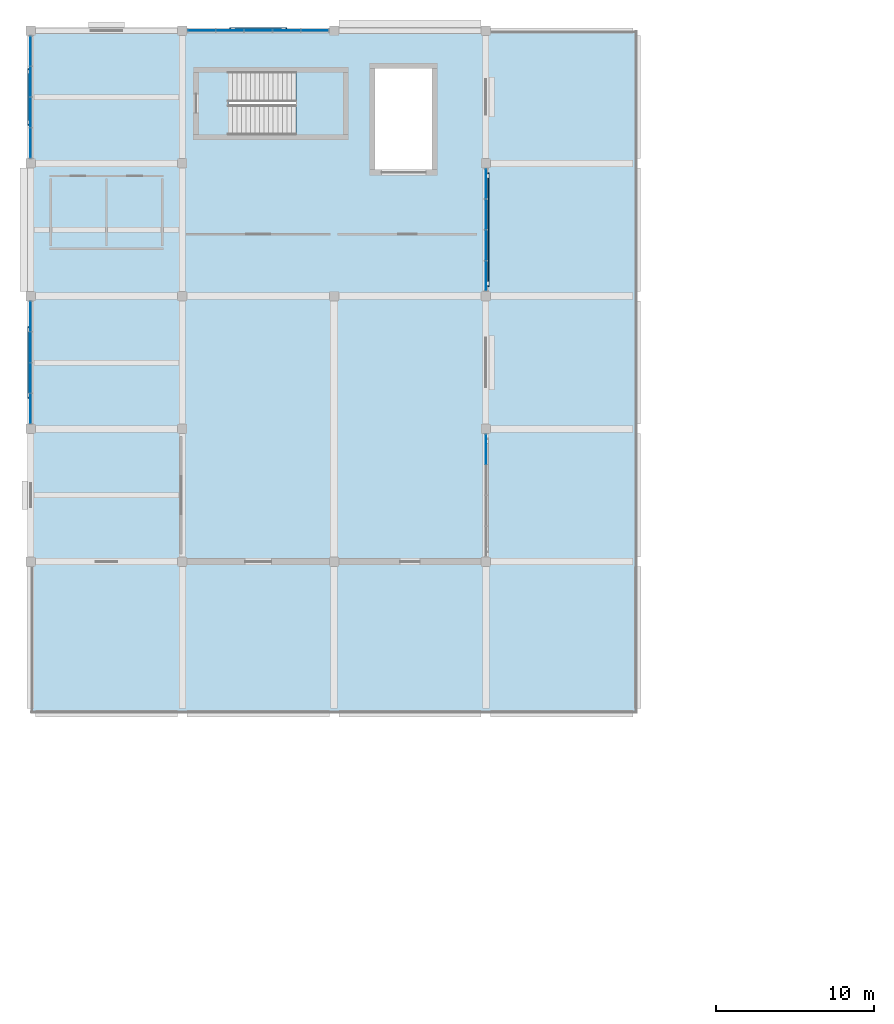
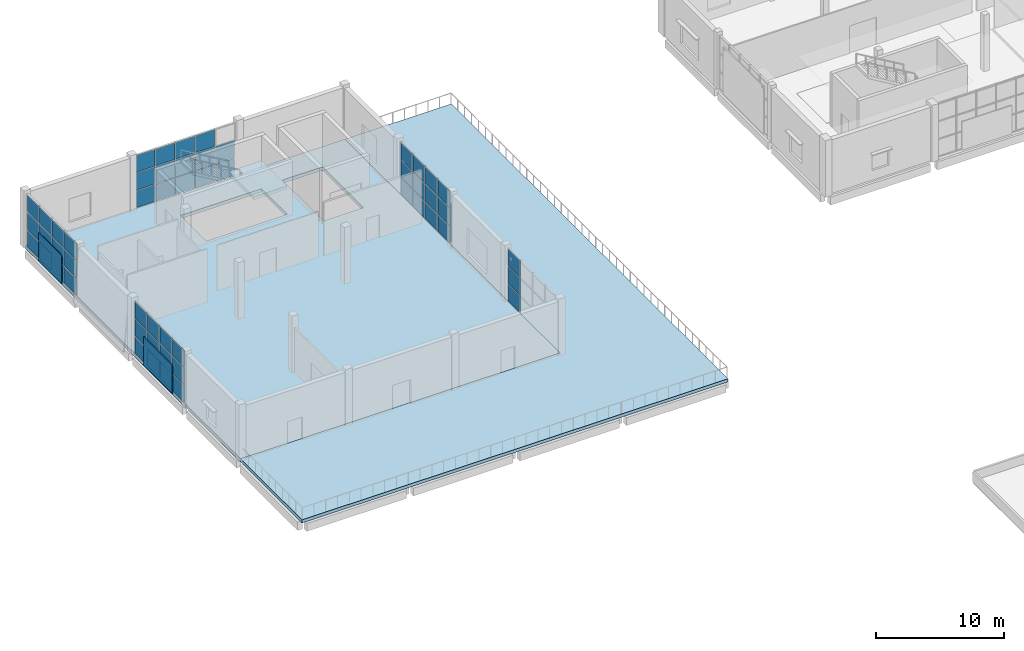
# One storey, part 38 of 72: 57 plates, 3 slabs, 6 elements without a shape of their own.
"""IFC4 building model written with IfcOpenShell, lengths in metres."""

from ifc_helpers import new_model, si_unit, direction, frame, origin, origin_2d, place, context, subcontext, project, spatial, polyline, rectangle, outline, extrude, material, layer, layer_set, type_object, element, aggregate, save


model = new_model("IFC4")

# Units and contexts
model_context = context("Model", 3, precision=1e-05, world=origin(), true_north=direction((0.0, 1.0)))
body_context = subcontext(model_context, "Body", "Model", "MODEL_VIEW")
ifc_project = project(units=[si_unit("LENGTHUNIT", "METRE"), si_unit("AREAUNIT", "SQUARE_METRE"), si_unit("VOLUMEUNIT", "CUBIC_METRE"), si_unit("PLANEANGLEUNIT", "RADIAN"), si_unit("MASSUNIT", "GRAM", prefix="KILO")], contexts=[model_context])

# Site, building, storey
site_placement = place(None, origin())
site = spatial("IfcSite", under=ifc_project, at=site_placement, CompositionType="ELEMENT")
building_placement = place(site_placement, origin())
building = spatial("IfcBuilding", under=site, at=building_placement, Name="Shalvenor Court Art Gallery", CompositionType="ELEMENT")
storey_placement = place(building_placement, frame((0.0, 0.0, 11.39990234375)))
storey = spatial("IfcBuildingStorey", under=building, at=storey_placement, Name="L02", CompositionType="ELEMENT", Elevation=11.39990234375)

# Curtain wall, plates
ifc_material_1 = material(Name="Anodised aluminium and low-iron glass curtain wall", Category="aluminium")
curtain_wall_type_1 = type_object("IfcCurtainWallType", Name="CW-5x3-90-51-221", PredefinedType="USERDEFINED", material=ifc_material_1)
curtain_wall_1_placement = place(storey_placement, origin())
curtain_wall_1 = element("IfcCurtainWall", 1, at=curtain_wall_1_placement, inside=storey, type_object=curtain_wall_type_1, Name="L02 V5 Curtain Wall CW-L02-181", ObjectType="CURTAIN WALL", PredefinedType="USERDEFINED")
ifc_material_2 = material(Name="Low-iron UV-laminated double glazing IGU", Category="glass")
ifc_layer_1 = layer(ifc_material_2, 0.028076171875, Name="Low-iron UV-laminated double glazing IGU")
ifc_layer_set_1 = layer_set([ifc_layer_1], Name="Low-iron UV-laminated double glazing IGU")
plate_type_1 = type_object("IfcPlateType", Name="CWP-01", PredefinedType="CURTAIN_PANEL", material=ifc_layer_set_1)
plate_1_placement = place(storey_placement, frame((10.8173828125, 122.39990234375, 0.065185546875), z_axis=(0.0, 0.0, 1.0), x_axis=(1.0, 0.0, 0.0)))
plate_1 = element("IfcPlate", 2, at=plate_1_placement, type_object=plate_type_1, Name="CW-5x3-90-51-221 panel 1.1", PredefinedType="CURTAIN_PANEL", context=body_context, shape_type="SweptSolid", body=[
    extrude(rectangle(XDim=1.695068359375, YDim=0.028076171875, at=origin_2d()), origin(), (0.0, 0.0, 1.0), 1.6025390625),
])
plate_2_placement = place(storey_placement, frame((10.8173828125, 122.39990234375, 1.732421875), z_axis=(0.0, 0.0, 1.0), x_axis=(1.0, 0.0, 0.0)))
plate_2 = element("IfcPlate", 3, at=plate_2_placement, type_object=plate_type_1, Name="CW-5x3-90-51-221 panel 1.2", PredefinedType="CURTAIN_PANEL", context=body_context, shape_type="SweptSolid", body=[
    extrude(rectangle(XDim=1.695068359375, YDim=0.028076171875, at=origin_2d()), origin(), (0.0, 0.0, 1.0), 1.635009765625),
])
plate_3_placement = place(storey_placement, frame((10.8173828125, 122.39990234375, 3.4326171875), z_axis=(0.0, 0.0, 1.0), x_axis=(1.0, 0.0, 0.0)))
plate_3 = element("IfcPlate", 4, at=plate_3_placement, type_object=plate_type_1, Name="CW-5x3-90-51-221 panel 1.3", PredefinedType="CURTAIN_PANEL", context=body_context, shape_type="SweptSolid", body=[
    extrude(rectangle(XDim=1.695068359375, YDim=0.028076171875, at=origin_2d()), origin(), (0.0, 0.0, 1.0), 1.6025390625),
])
plate_4_placement = place(storey_placement, frame((12.60009765625, 122.39990234375, 0.065185546875), z_axis=(0.0, 0.0, 1.0), x_axis=(1.0, 0.0, 0.0)))
plate_4 = element("IfcPlate", 5, at=plate_4_placement, type_object=plate_type_1, Name="CW-5x3-90-51-221 panel 2.1", PredefinedType="CURTAIN_PANEL", context=body_context, shape_type="SweptSolid", body=[
    extrude(rectangle(XDim=1.72998046875, YDim=0.028076171875, at=origin_2d()), origin(), (0.0, 0.0, 1.0), 1.6025390625),
])
plate_5_placement = place(storey_placement, frame((12.60009765625, 122.39990234375, 1.732421875), z_axis=(0.0, 0.0, 1.0), x_axis=(1.0, 0.0, 0.0)))
plate_5 = element("IfcPlate", 6, at=plate_5_placement, type_object=plate_type_1, Name="CW-5x3-90-51-221 panel 2.2", PredefinedType="CURTAIN_PANEL", context=body_context, shape_type="SweptSolid", body=[
    extrude(rectangle(XDim=1.72998046875, YDim=0.028076171875, at=origin_2d()), origin(), (0.0, 0.0, 1.0), 1.635009765625),
])
plate_6_placement = place(storey_placement, frame((12.60009765625, 122.39990234375, 3.4326171875), z_axis=(0.0, 0.0, 1.0), x_axis=(1.0, 0.0, 0.0)))
plate_6 = element("IfcPlate", 7, at=plate_6_placement, type_object=plate_type_1, Name="CW-5x3-90-51-221 panel 2.3", PredefinedType="CURTAIN_PANEL", context=body_context, shape_type="SweptSolid", body=[
    extrude(rectangle(XDim=1.72998046875, YDim=0.028076171875, at=origin_2d()), origin(), (0.0, 0.0, 1.0), 1.6025390625),
])
plate_7_placement = place(storey_placement, frame((14.39990234375, 122.39990234375, 0.065185546875), z_axis=(0.0, 0.0, 1.0), x_axis=(1.0, 0.0, 0.0)))
plate_7 = element("IfcPlate", 8, at=plate_7_placement, type_object=plate_type_1, Name="CW-5x3-90-51-221 panel 3.1", PredefinedType="CURTAIN_PANEL", context=body_context, shape_type="SweptSolid", body=[
    extrude(rectangle(XDim=1.72998046875, YDim=0.028076171875, at=origin_2d()), origin(), (0.0, 0.0, 1.0), 1.6025390625),
])
plate_8_placement = place(storey_placement, frame((14.39990234375, 122.39990234375, 1.732421875), z_axis=(0.0, 0.0, 1.0), x_axis=(1.0, 0.0, 0.0)))
plate_8 = element("IfcPlate", 9, at=plate_8_placement, type_object=plate_type_1, Name="CW-5x3-90-51-221 panel 3.2", PredefinedType="CURTAIN_PANEL", context=body_context, shape_type="SweptSolid", body=[
    extrude(rectangle(XDim=1.72998046875, YDim=0.028076171875, at=origin_2d()), origin(), (0.0, 0.0, 1.0), 1.635009765625),
])
plate_9_placement = place(storey_placement, frame((14.39990234375, 122.39990234375, 3.4326171875), z_axis=(0.0, 0.0, 1.0), x_axis=(1.0, 0.0, 0.0)))
plate_9 = element("IfcPlate", 10, at=plate_9_placement, type_object=plate_type_1, Name="CW-5x3-90-51-221 panel 3.3", PredefinedType="CURTAIN_PANEL", context=body_context, shape_type="SweptSolid", body=[
    extrude(rectangle(XDim=1.72998046875, YDim=0.028076171875, at=origin_2d()), origin(), (0.0, 0.0, 1.0), 1.6025390625),
])
plate_10_placement = place(storey_placement, frame((16.199951171875, 122.39990234375, 0.065185546875), z_axis=(0.0, 0.0, 1.0), x_axis=(1.0, 0.0, 0.0)))
plate_10 = element("IfcPlate", 11, at=plate_10_placement, type_object=plate_type_1, Name="CW-5x3-90-51-221 panel 4.1", PredefinedType="CURTAIN_PANEL", context=body_context, shape_type="SweptSolid", body=[
    extrude(rectangle(XDim=1.72998046875, YDim=0.028076171875, at=origin_2d()), origin(), (0.0, 0.0, 1.0), 1.6025390625),
])
plate_11_placement = place(storey_placement, frame((16.199951171875, 122.39990234375, 1.732421875), z_axis=(0.0, 0.0, 1.0), x_axis=(1.0, 0.0, 0.0)))
plate_11 = element("IfcPlate", 12, at=plate_11_placement, type_object=plate_type_1, Name="CW-5x3-90-51-221 panel 4.2", PredefinedType="CURTAIN_PANEL", context=body_context, shape_type="SweptSolid", body=[
    extrude(rectangle(XDim=1.72998046875, YDim=0.028076171875, at=origin_2d()), origin(), (0.0, 0.0, 1.0), 1.635009765625),
])
plate_12_placement = place(storey_placement, frame((16.199951171875, 122.39990234375, 3.4326171875), z_axis=(0.0, 0.0, 1.0), x_axis=(1.0, 0.0, 0.0)))
plate_12 = element("IfcPlate", 13, at=plate_12_placement, type_object=plate_type_1, Name="CW-5x3-90-51-221 panel 4.3", PredefinedType="CURTAIN_PANEL", context=body_context, shape_type="SweptSolid", body=[
    extrude(rectangle(XDim=1.72998046875, YDim=0.028076171875, at=origin_2d()), origin(), (0.0, 0.0, 1.0), 1.6025390625),
])
plate_13_placement = place(storey_placement, frame((17.982421875, 122.39990234375, 0.065185546875), z_axis=(0.0, 0.0, 1.0), x_axis=(1.0, 0.0, 0.0)))
plate_13 = element("IfcPlate", 14, at=plate_13_placement, type_object=plate_type_1, Name="CW-5x3-90-51-221 panel 5.1", PredefinedType="CURTAIN_PANEL", context=body_context, shape_type="SweptSolid", body=[
    extrude(rectangle(XDim=1.695068359375, YDim=0.028076171875, at=origin_2d()), origin(), (0.0, 0.0, 1.0), 1.6025390625),
])
plate_14_placement = place(storey_placement, frame((17.982421875, 122.39990234375, 1.732421875), z_axis=(0.0, 0.0, 1.0), x_axis=(1.0, 0.0, 0.0)))
plate_14 = element("IfcPlate", 15, at=plate_14_placement, type_object=plate_type_1, Name="CW-5x3-90-51-221 panel 5.2", PredefinedType="CURTAIN_PANEL", context=body_context, shape_type="SweptSolid", body=[
    extrude(rectangle(XDim=1.695068359375, YDim=0.028076171875, at=origin_2d()), origin(), (0.0, 0.0, 1.0), 1.635009765625),
])
aggregate(curtain_wall_1, [plate_1, plate_2, plate_3, plate_4, plate_5, plate_6, plate_7, plate_8, plate_9, plate_10, plate_11, plate_12, plate_13, plate_14])

ifc_material_3 = material(Name="Anodised aluminium and low-iron glass curtain wall", Category="aluminium")
curtain_wall_type_2 = type_object("IfcCurtainWallType", Name="CW-4x3-78-51-441", PredefinedType="USERDEFINED", material=ifc_material_3)
curtain_wall_2_placement = place(storey_placement, origin())
curtain_wall_2 = element("IfcCurtainWall", 16, at=curtain_wall_2_placement, inside=storey, type_object=curtain_wall_type_2, Name="L02 V5 Curtain Wall CW-L02-182", ObjectType="CURTAIN WALL", PredefinedType="USERDEFINED")
plate_15_placement = place(storey_placement, frame((28.800048828125, 112.706298828125, 0.0703125), z_axis=(0.0, 0.0, 1.0), x_axis=(0.0, -1.0, 0.0)))
plate_15 = element("IfcPlate", 17, at=plate_15_placement, type_object=plate_type_1, Name="CW-4x3-78-51-441 panel 1.1", PredefinedType="CURTAIN_PANEL", context=body_context, shape_type="SweptSolid", body=[
    extrude(rectangle(XDim=1.83740234375, YDim=0.028076171875, at=origin_2d()), origin(), (0.0, 0.0, 1.0), 1.594970703125),
])
plate_16_placement = place(storey_placement, frame((28.800048828125, 112.706298828125, 1.735107421875), z_axis=(0.0, 0.0, 1.0), x_axis=(0.0, -1.0, 0.0)))
plate_16 = element("IfcPlate", 18, at=plate_16_placement, type_object=plate_type_1, Name="CW-4x3-78-51-441 panel 1.2", PredefinedType="CURTAIN_PANEL", context=body_context, shape_type="SweptSolid", body=[
    extrude(rectangle(XDim=1.83740234375, YDim=0.028076171875, at=origin_2d()), origin(), (0.0, 0.0, 1.0), 1.6298828125),
])
plate_17_placement = place(storey_placement, frame((28.800048828125, 112.706298828125, 3.43505859375), z_axis=(0.0, 0.0, 1.0), x_axis=(0.0, -1.0, 0.0)))
plate_17 = element("IfcPlate", 19, at=plate_17_placement, type_object=plate_type_1, Name="CW-4x3-78-51-441 panel 1.3", PredefinedType="CURTAIN_PANEL", context=body_context, shape_type="SweptSolid", body=[
    extrude(rectangle(XDim=1.83740234375, YDim=0.028076171875, at=origin_2d()), origin(), (0.0, 0.0, 1.0), 1.594970703125),
])
plate_18_placement = place(storey_placement, frame((28.800048828125, 110.77490234375, 0.0703125), z_axis=(0.0, 0.0, 1.0), x_axis=(0.0, -1.0, 0.0)))
plate_18 = element("IfcPlate", 20, at=plate_18_placement, type_object=plate_type_1, Name="CW-4x3-78-51-441 panel 2.1", PredefinedType="CURTAIN_PANEL", context=body_context, shape_type="SweptSolid", body=[
    extrude(rectangle(XDim=1.875, YDim=0.028076171875, at=origin_2d()), origin(), (0.0, 0.0, 1.0), 1.594970703125),
])
plate_19_placement = place(storey_placement, frame((28.800048828125, 110.77490234375, 1.735107421875), z_axis=(0.0, 0.0, 1.0), x_axis=(0.0, -1.0, 0.0)))
plate_19 = element("IfcPlate", 21, at=plate_19_placement, type_object=plate_type_1, Name="CW-4x3-78-51-441 panel 2.2", PredefinedType="CURTAIN_PANEL", context=body_context, shape_type="SweptSolid", body=[
    extrude(rectangle(XDim=1.875, YDim=0.028076171875, at=origin_2d()), origin(), (0.0, 0.0, 1.0), 1.6298828125),
])
plate_20_placement = place(storey_placement, frame((28.800048828125, 110.77490234375, 3.43505859375), z_axis=(0.0, 0.0, 1.0), x_axis=(0.0, -1.0, 0.0)))
plate_20 = element("IfcPlate", 22, at=plate_20_placement, type_object=plate_type_1, Name="CW-4x3-78-51-441 panel 2.3", PredefinedType="CURTAIN_PANEL", context=body_context, shape_type="SweptSolid", body=[
    extrude(rectangle(XDim=1.875, YDim=0.028076171875, at=origin_2d()), origin(), (0.0, 0.0, 1.0), 1.594970703125),
])
plate_21_placement = place(storey_placement, frame((28.800048828125, 108.824951171875, 0.0703125), z_axis=(0.0, 0.0, 1.0), x_axis=(0.0, -1.0, 0.0)))
plate_21 = element("IfcPlate", 23, at=plate_21_placement, type_object=plate_type_1, Name="CW-4x3-78-51-441 panel 3.1", PredefinedType="CURTAIN_PANEL", context=body_context, shape_type="SweptSolid", body=[
    extrude(rectangle(XDim=1.875, YDim=0.028076171875, at=origin_2d()), origin(), (0.0, 0.0, 1.0), 1.594970703125),
])
plate_22_placement = place(storey_placement, frame((28.800048828125, 108.824951171875, 1.735107421875), z_axis=(0.0, 0.0, 1.0), x_axis=(0.0, -1.0, 0.0)))
plate_22 = element("IfcPlate", 24, at=plate_22_placement, type_object=plate_type_1, Name="CW-4x3-78-51-441 panel 3.2", PredefinedType="CURTAIN_PANEL", context=body_context, shape_type="SweptSolid", body=[
    extrude(rectangle(XDim=1.875, YDim=0.028076171875, at=origin_2d()), origin(), (0.0, 0.0, 1.0), 1.6298828125),
])
plate_23_placement = place(storey_placement, frame((28.800048828125, 108.824951171875, 3.43505859375), z_axis=(0.0, 0.0, 1.0), x_axis=(0.0, -1.0, 0.0)))
plate_23 = element("IfcPlate", 25, at=plate_23_placement, type_object=plate_type_1, Name="CW-4x3-78-51-441 panel 3.3", PredefinedType="CURTAIN_PANEL", context=body_context, shape_type="SweptSolid", body=[
    extrude(rectangle(XDim=1.875, YDim=0.028076171875, at=origin_2d()), origin(), (0.0, 0.0, 1.0), 1.594970703125),
])
plate_24_placement = place(storey_placement, frame((28.800048828125, 106.893798828125, 0.0703125), z_axis=(0.0, 0.0, 1.0), x_axis=(0.0, -1.0, 0.0)))
plate_24 = element("IfcPlate", 26, at=plate_24_placement, type_object=plate_type_1, Name="CW-4x3-78-51-441 panel 4.1", PredefinedType="CURTAIN_PANEL", context=body_context, shape_type="SweptSolid", body=[
    extrude(rectangle(XDim=1.83740234375, YDim=0.028076171875, at=origin_2d()), origin(), (0.0, 0.0, 1.0), 1.594970703125),
])
plate_25_placement = place(storey_placement, frame((28.800048828125, 106.893798828125, 1.735107421875), z_axis=(0.0, 0.0, 1.0), x_axis=(0.0, -1.0, 0.0)))
plate_25 = element("IfcPlate", 27, at=plate_25_placement, type_object=plate_type_1, Name="CW-4x3-78-51-441 panel 4.2", PredefinedType="CURTAIN_PANEL", context=body_context, shape_type="SweptSolid", body=[
    extrude(rectangle(XDim=1.83740234375, YDim=0.028076171875, at=origin_2d()), origin(), (0.0, 0.0, 1.0), 1.6298828125),
])
plate_26_placement = place(storey_placement, frame((28.800048828125, 106.893798828125, 3.43505859375), z_axis=(0.0, 0.0, 1.0), x_axis=(0.0, -1.0, 0.0)))
plate_26 = element("IfcPlate", 28, at=plate_26_placement, type_object=plate_type_1, Name="CW-4x3-78-51-441 panel 4.3", PredefinedType="CURTAIN_PANEL", context=body_context, shape_type="SweptSolid", body=[
    extrude(rectangle(XDim=1.83740234375, YDim=0.028076171875, at=origin_2d()), origin(), (0.0, 0.0, 1.0), 1.594970703125),
])
aggregate(curtain_wall_2, [plate_15, plate_16, plate_17, plate_18, plate_19, plate_20, plate_21, plate_22, plate_23, plate_24, plate_25, plate_26])

ifc_material_4 = material(Name="Anodised aluminium and low-iron glass curtain wall", Category="aluminium")
curtain_wall_type_3 = type_object("IfcCurtainWallType", Name="CW-4x3-78-51-611", PredefinedType="USERDEFINED", material=ifc_material_4)
curtain_wall_3_placement = place(storey_placement, origin())
curtain_wall_3 = element("IfcCurtainWall", 29, at=curtain_wall_3_placement, inside=storey, type_object=curtain_wall_type_3, Name="L02 V5 Curtain Wall CW-L02-183", ObjectType="CURTAIN WALL", PredefinedType="USERDEFINED")
plate_27_placement = place(storey_placement, frame((28.800048828125, 95.9111328125, 0.06005859375), z_axis=(0.0, 0.0, 1.0), x_axis=(0.0, -1.0, 0.0)))
plate_27 = element("IfcPlate", 30, at=plate_27_placement, type_object=plate_type_1, Name="CW-4x3-78-51-611 panel 1.1", PredefinedType="CURTAIN_PANEL", context=body_context, shape_type="SweptSolid", body=[
    extrude(rectangle(XDim=1.867431640625, YDim=0.028076171875, at=origin_2d()), origin(), (0.0, 0.0, 1.0), 1.610107421875),
])
plate_28_placement = place(storey_placement, frame((28.800048828125, 95.9111328125, 1.72998046875), z_axis=(0.0, 0.0, 1.0), x_axis=(0.0, -1.0, 0.0)))
plate_28 = element("IfcPlate", 31, at=plate_28_placement, type_object=plate_type_1, Name="CW-4x3-78-51-611 panel 1.2", PredefinedType="CURTAIN_PANEL", context=body_context, shape_type="SweptSolid", body=[
    extrude(rectangle(XDim=1.867431640625, YDim=0.028076171875, at=origin_2d()), origin(), (0.0, 0.0, 1.0), 1.639892578125),
])
plate_29_placement = place(storey_placement, frame((28.800048828125, 95.9111328125, 3.43017578125), z_axis=(0.0, 0.0, 1.0), x_axis=(0.0, -1.0, 0.0)))
plate_29 = element("IfcPlate", 32, at=plate_29_placement, type_object=plate_type_1, Name="CW-4x3-78-51-611 panel 1.3", PredefinedType="CURTAIN_PANEL", context=body_context, shape_type="SweptSolid", body=[
    extrude(rectangle(XDim=1.867431640625, YDim=0.028076171875, at=origin_2d()), origin(), (0.0, 0.0, 1.0), 1.610107421875),
])
aggregate(curtain_wall_3, [plate_27, plate_28, plate_29])

ifc_material_5 = material(Name="Anodised aluminium and low-iron glass curtain wall", Category="aluminium")
curtain_wall_type_4 = type_object("IfcCurtainWallType", Name="CW-4x3-78-51-121", PredefinedType="USERDEFINED", material=ifc_material_5)
curtain_wall_4_placement = place(storey_placement, origin())
curtain_wall_4 = element("IfcCurtainWall", 33, at=curtain_wall_4_placement, inside=storey, type_object=curtain_wall_type_4, Name="L02 V5 Curtain Wall CW-L02-184", ObjectType="CURTAIN WALL", PredefinedType="USERDEFINED")
plate_30_placement = place(storey_placement, frame((0.0, 98.4912109375, 0.065185546875), z_axis=(0.0, 0.0, 1.0), x_axis=(0.0, 1.0, 0.0)))
plate_30 = element("IfcPlate", 34, at=plate_30_placement, type_object=plate_type_1, Name="CW-4x3-78-51-121 panel 1.1", PredefinedType="CURTAIN_PANEL", context=body_context, shape_type="SweptSolid", body=[
    extrude(rectangle(XDim=1.8525390625, YDim=0.028076171875, at=origin_2d()), origin(), (0.0, 0.0, 1.0), 1.6025390625),
])
plate_31_placement = place(storey_placement, frame((0.0, 98.4912109375, 1.732421875), z_axis=(0.0, 0.0, 1.0), x_axis=(0.0, 1.0, 0.0)))
plate_31 = element("IfcPlate", 35, at=plate_31_placement, type_object=plate_type_1, Name="CW-4x3-78-51-121 panel 1.2", PredefinedType="CURTAIN_PANEL", context=body_context, shape_type="SweptSolid", body=[
    extrude(rectangle(XDim=1.8525390625, YDim=0.028076171875, at=origin_2d()), origin(), (0.0, 0.0, 1.0), 1.635009765625),
])
plate_32_placement = place(storey_placement, frame((0.0, 98.4912109375, 3.4326171875), z_axis=(0.0, 0.0, 1.0), x_axis=(0.0, 1.0, 0.0)))
plate_32 = element("IfcPlate", 36, at=plate_32_placement, type_object=plate_type_1, Name="CW-4x3-78-51-121 panel 1.3", PredefinedType="CURTAIN_PANEL", context=body_context, shape_type="SweptSolid", body=[
    extrude(rectangle(XDim=1.8525390625, YDim=0.028076171875, at=origin_2d()), origin(), (0.0, 0.0, 1.0), 1.6025390625),
])
plate_33_placement = place(storey_placement, frame((0.0, 100.425048828125, 0.065185546875), z_axis=(0.0, 0.0, 1.0), x_axis=(0.0, 1.0, 0.0)))
plate_33 = element("IfcPlate", 37, at=plate_33_placement, type_object=plate_type_1, Name="CW-4x3-78-51-121 panel 2.1", PredefinedType="CURTAIN_PANEL", context=body_context, shape_type="SweptSolid", body=[
    extrude(rectangle(XDim=1.885009765625, YDim=0.028076171875, at=origin_2d()), origin(), (0.0, 0.0, 1.0), 1.6025390625),
])
plate_34_placement = place(storey_placement, frame((0.0, 100.425048828125, 1.732421875), z_axis=(0.0, 0.0, 1.0), x_axis=(0.0, 1.0, 0.0)))
plate_34 = element("IfcPlate", 38, at=plate_34_placement, type_object=plate_type_1, Name="CW-4x3-78-51-121 panel 2.2", PredefinedType="CURTAIN_PANEL", context=body_context, shape_type="SweptSolid", body=[
    extrude(rectangle(XDim=1.885009765625, YDim=0.028076171875, at=origin_2d()), origin(), (0.0, 0.0, 1.0), 1.635009765625),
])
plate_35_placement = place(storey_placement, frame((0.0, 100.425048828125, 3.4326171875), z_axis=(0.0, 0.0, 1.0), x_axis=(0.0, 1.0, 0.0)))
plate_35 = element("IfcPlate", 39, at=plate_35_placement, type_object=plate_type_1, Name="CW-4x3-78-51-121 panel 2.3", PredefinedType="CURTAIN_PANEL", context=body_context, shape_type="SweptSolid", body=[
    extrude(rectangle(XDim=1.885009765625, YDim=0.028076171875, at=origin_2d()), origin(), (0.0, 0.0, 1.0), 1.6025390625),
])
plate_36_placement = place(storey_placement, frame((0.0, 102.375, 0.065185546875), z_axis=(0.0, 0.0, 1.0), x_axis=(0.0, 1.0, 0.0)))
plate_36 = element("IfcPlate", 40, at=plate_36_placement, type_object=plate_type_1, Name="CW-4x3-78-51-121 panel 3.1", PredefinedType="CURTAIN_PANEL", context=body_context, shape_type="SweptSolid", body=[
    extrude(rectangle(XDim=1.885009765625, YDim=0.028076171875, at=origin_2d()), origin(), (0.0, 0.0, 1.0), 1.6025390625),
])
plate_37_placement = place(storey_placement, frame((0.0, 102.375, 1.732421875), z_axis=(0.0, 0.0, 1.0), x_axis=(0.0, 1.0, 0.0)))
plate_37 = element("IfcPlate", 41, at=plate_37_placement, type_object=plate_type_1, Name="CW-4x3-78-51-121 panel 3.2", PredefinedType="CURTAIN_PANEL", context=body_context, shape_type="SweptSolid", body=[
    extrude(rectangle(XDim=1.885009765625, YDim=0.028076171875, at=origin_2d()), origin(), (0.0, 0.0, 1.0), 1.635009765625),
])
plate_38_placement = place(storey_placement, frame((0.0, 102.375, 3.4326171875), z_axis=(0.0, 0.0, 1.0), x_axis=(0.0, 1.0, 0.0)))
plate_38 = element("IfcPlate", 42, at=plate_38_placement, type_object=plate_type_1, Name="CW-4x3-78-51-121 panel 3.3", PredefinedType="CURTAIN_PANEL", context=body_context, shape_type="SweptSolid", body=[
    extrude(rectangle(XDim=1.885009765625, YDim=0.028076171875, at=origin_2d()), origin(), (0.0, 0.0, 1.0), 1.6025390625),
])
plate_39_placement = place(storey_placement, frame((0.0, 104.308837890625, 0.065185546875), z_axis=(0.0, 0.0, 1.0), x_axis=(0.0, 1.0, 0.0)))
plate_39 = element("IfcPlate", 43, at=plate_39_placement, type_object=plate_type_1, Name="CW-4x3-78-51-121 panel 4.1", PredefinedType="CURTAIN_PANEL", context=body_context, shape_type="SweptSolid", body=[
    extrude(rectangle(XDim=1.8525390625, YDim=0.028076171875, at=origin_2d()), origin(), (0.0, 0.0, 1.0), 1.6025390625),
])
plate_40_placement = place(storey_placement, frame((0.0, 104.308837890625, 1.732421875), z_axis=(0.0, 0.0, 1.0), x_axis=(0.0, 1.0, 0.0)))
plate_40 = element("IfcPlate", 44, at=plate_40_placement, type_object=plate_type_1, Name="CW-4x3-78-51-121 panel 4.2", PredefinedType="CURTAIN_PANEL", context=body_context, shape_type="SweptSolid", body=[
    extrude(rectangle(XDim=1.8525390625, YDim=0.028076171875, at=origin_2d()), origin(), (0.0, 0.0, 1.0), 1.635009765625),
])
plate_41_placement = place(storey_placement, frame((0.0, 104.308837890625, 3.4326171875), z_axis=(0.0, 0.0, 1.0), x_axis=(0.0, 1.0, 0.0)))
plate_41 = element("IfcPlate", 45, at=plate_41_placement, type_object=plate_type_1, Name="CW-4x3-78-51-121 panel 4.3", PredefinedType="CURTAIN_PANEL", context=body_context, shape_type="SweptSolid", body=[
    extrude(rectangle(XDim=1.8525390625, YDim=0.028076171875, at=origin_2d()), origin(), (0.0, 0.0, 1.0), 1.6025390625),
])
aggregate(curtain_wall_4, [plate_30, plate_31, plate_32, plate_33, plate_34, plate_35, plate_36, plate_37, plate_38, plate_39, plate_40, plate_41])

ifc_material_6 = material(Name="Anodised aluminium and low-iron glass curtain wall", Category="aluminium")
curtain_wall_type_5 = type_object("IfcCurtainWallType", Name="CW-4x3-78-51-241", PredefinedType="USERDEFINED", material=ifc_material_6)
curtain_wall_5_placement = place(storey_placement, origin())
curtain_wall_5 = element("IfcCurtainWall", 46, at=curtain_wall_5_placement, inside=storey, type_object=curtain_wall_type_5, Name="L02 V5 Curtain Wall CW-L02-185", ObjectType="CURTAIN WALL", PredefinedType="USERDEFINED")
plate_42_placement = place(storey_placement, frame((0.0, 115.29248046875, 0.0703125), z_axis=(0.0, 0.0, 1.0), x_axis=(0.0, 1.0, 0.0)))
plate_42 = element("IfcPlate", 47, at=plate_42_placement, type_object=plate_type_1, Name="CW-4x3-78-51-241 panel 1.1", PredefinedType="CURTAIN_PANEL", context=body_context, shape_type="SweptSolid", body=[
    extrude(rectangle(XDim=1.844970703125, YDim=0.028076171875, at=origin_2d()), origin(), (0.0, 0.0, 1.0), 1.594970703125),
])
plate_43_placement = place(storey_placement, frame((0.0, 115.29248046875, 1.735107421875), z_axis=(0.0, 0.0, 1.0), x_axis=(0.0, 1.0, 0.0)))
plate_43 = element("IfcPlate", 48, at=plate_43_placement, type_object=plate_type_1, Name="CW-4x3-78-51-241 panel 1.2", PredefinedType="CURTAIN_PANEL", context=body_context, shape_type="SweptSolid", body=[
    extrude(rectangle(XDim=1.844970703125, YDim=0.028076171875, at=origin_2d()), origin(), (0.0, 0.0, 1.0), 1.6298828125),
])
plate_44_placement = place(storey_placement, frame((0.0, 115.29248046875, 3.43505859375), z_axis=(0.0, 0.0, 1.0), x_axis=(0.0, 1.0, 0.0)))
plate_44 = element("IfcPlate", 49, at=plate_44_placement, type_object=plate_type_1, Name="CW-4x3-78-51-241 panel 1.3", PredefinedType="CURTAIN_PANEL", context=body_context, shape_type="SweptSolid", body=[
    extrude(rectangle(XDim=1.844970703125, YDim=0.028076171875, at=origin_2d()), origin(), (0.0, 0.0, 1.0), 1.594970703125),
])
plate_45_placement = place(storey_placement, frame((0.0, 117.22509765625, 0.0703125), z_axis=(0.0, 0.0, 1.0), x_axis=(0.0, 1.0, 0.0)))
plate_45 = element("IfcPlate", 50, at=plate_45_placement, type_object=plate_type_1, Name="CW-4x3-78-51-241 panel 2.1", PredefinedType="CURTAIN_PANEL", context=body_context, shape_type="SweptSolid", body=[
    extrude(rectangle(XDim=1.8798828125, YDim=0.028076171875, at=origin_2d()), origin(), (0.0, 0.0, 1.0), 1.594970703125),
])
plate_46_placement = place(storey_placement, frame((0.0, 117.22509765625, 1.735107421875), z_axis=(0.0, 0.0, 1.0), x_axis=(0.0, 1.0, 0.0)))
plate_46 = element("IfcPlate", 51, at=plate_46_placement, type_object=plate_type_1, Name="CW-4x3-78-51-241 panel 2.2", PredefinedType="CURTAIN_PANEL", context=body_context, shape_type="SweptSolid", body=[
    extrude(rectangle(XDim=1.8798828125, YDim=0.028076171875, at=origin_2d()), origin(), (0.0, 0.0, 1.0), 1.6298828125),
])
plate_47_placement = place(storey_placement, frame((0.0, 117.22509765625, 3.43505859375), z_axis=(0.0, 0.0, 1.0), x_axis=(0.0, 1.0, 0.0)))
plate_47 = element("IfcPlate", 52, at=plate_47_placement, type_object=plate_type_1, Name="CW-4x3-78-51-241 panel 2.3", PredefinedType="CURTAIN_PANEL", context=body_context, shape_type="SweptSolid", body=[
    extrude(rectangle(XDim=1.8798828125, YDim=0.028076171875, at=origin_2d()), origin(), (0.0, 0.0, 1.0), 1.594970703125),
])
plate_48_placement = place(storey_placement, frame((0.0, 119.175048828125, 0.0703125), z_axis=(0.0, 0.0, 1.0), x_axis=(0.0, 1.0, 0.0)))
plate_48 = element("IfcPlate", 53, at=plate_48_placement, type_object=plate_type_1, Name="CW-4x3-78-51-241 panel 3.1", PredefinedType="CURTAIN_PANEL", context=body_context, shape_type="SweptSolid", body=[
    extrude(rectangle(XDim=1.8798828125, YDim=0.028076171875, at=origin_2d()), origin(), (0.0, 0.0, 1.0), 1.594970703125),
])
plate_49_placement = place(storey_placement, frame((0.0, 119.175048828125, 1.735107421875), z_axis=(0.0, 0.0, 1.0), x_axis=(0.0, 1.0, 0.0)))
plate_49 = element("IfcPlate", 54, at=plate_49_placement, type_object=plate_type_1, Name="CW-4x3-78-51-241 panel 3.2", PredefinedType="CURTAIN_PANEL", context=body_context, shape_type="SweptSolid", body=[
    extrude(rectangle(XDim=1.8798828125, YDim=0.028076171875, at=origin_2d()), origin(), (0.0, 0.0, 1.0), 1.6298828125),
])
plate_50_placement = place(storey_placement, frame((0.0, 119.175048828125, 3.43505859375), z_axis=(0.0, 0.0, 1.0), x_axis=(0.0, 1.0, 0.0)))
plate_50 = element("IfcPlate", 55, at=plate_50_placement, type_object=plate_type_1, Name="CW-4x3-78-51-241 panel 3.3", PredefinedType="CURTAIN_PANEL", context=body_context, shape_type="SweptSolid", body=[
    extrude(rectangle(XDim=1.8798828125, YDim=0.028076171875, at=origin_2d()), origin(), (0.0, 0.0, 1.0), 1.594970703125),
])
plate_51_placement = place(storey_placement, frame((0.0, 121.107421875, 0.0703125), z_axis=(0.0, 0.0, 1.0), x_axis=(0.0, 1.0, 0.0)))
plate_51 = element("IfcPlate", 56, at=plate_51_placement, type_object=plate_type_1, Name="CW-4x3-78-51-241 panel 4.1", PredefinedType="CURTAIN_PANEL", context=body_context, shape_type="SweptSolid", body=[
    extrude(rectangle(XDim=1.844970703125, YDim=0.028076171875, at=origin_2d()), origin(), (0.0, 0.0, 1.0), 1.594970703125),
])
plate_52_placement = place(storey_placement, frame((0.0, 121.107421875, 1.735107421875), z_axis=(0.0, 0.0, 1.0), x_axis=(0.0, 1.0, 0.0)))
plate_52 = element("IfcPlate", 57, at=plate_52_placement, type_object=plate_type_1, Name="CW-4x3-78-51-241 panel 4.2", PredefinedType="CURTAIN_PANEL", context=body_context, shape_type="SweptSolid", body=[
    extrude(rectangle(XDim=1.844970703125, YDim=0.028076171875, at=origin_2d()), origin(), (0.0, 0.0, 1.0), 1.6298828125),
])
plate_53_placement = place(storey_placement, frame((0.0, 121.107421875, 3.43505859375), z_axis=(0.0, 0.0, 1.0), x_axis=(0.0, 1.0, 0.0)))
plate_53 = element("IfcPlate", 58, at=plate_53_placement, type_object=plate_type_1, Name="CW-4x3-78-51-241 panel 4.3", PredefinedType="CURTAIN_PANEL", context=body_context, shape_type="SweptSolid", body=[
    extrude(rectangle(XDim=1.844970703125, YDim=0.028076171875, at=origin_2d()), origin(), (0.0, 0.0, 1.0), 1.594970703125),
])
aggregate(curtain_wall_5, [plate_42, plate_43, plate_44, plate_45, plate_46, plate_47, plate_48, plate_49, plate_50, plate_51, plate_52, plate_53])

# Slab
ifc_material_7 = material(Name="Concrete C40/50", Category="concrete")
ifc_layer_2 = layer(ifc_material_7, 0.320068359375, Name="Concrete C40/50")
ifc_layer_set_2 = layer_set([ifc_layer_2], Name="Concrete C40/50")
slab_type_1 = type_object("IfcSlabType", Name="FS-320", PredefinedType="FLOOR", material=ifc_layer_set_2)
slab_1_placement = place(storey_placement, frame((0.0, 0.0, -0.31982421875)))
element("IfcSlab", 59, at=slab_1_placement, inside=storey, type_object=slab_type_1, Name="L02 V5 Floor Slab 1", PredefinedType="FLOOR", context=body_context, shape_type="SweptSolid", body=[
    extrude(outline(polyline([(28.800048828125, 122.39990234375), (28.800048828125, 88.800048828125), (0.0, 88.800048828125), (0.0, 122.39990234375), (28.800048828125, 122.39990234375)]), holes=[polyline([(12.510986328125, 115.800048828125), (19.800048828125, 115.800048828125), (19.800048828125, 119.800048828125), (12.510986328125, 119.800048828125), (12.510986328125, 115.800048828125)]), polyline([(21.800048828125, 120.0), (21.800048828125, 113.60009765625), (25.39990234375, 113.60009765625), (25.39990234375, 120.0), (21.800048828125, 120.0)])]), origin(), (0.0, 0.0, 1.0), 0.31982421875),
])

# Plates
ifc_material_8 = material(Name="Perforated pale limestone GRC lattice", Category="masonry")
ifc_layer_3 = layer(ifc_material_8, 0.090087890625, Name="Perforated pale limestone GRC lattice")
ifc_layer_set_3 = layer_set([ifc_layer_3], Name="Perforated pale limestone GRC lattice")
plate_type_2 = type_object("IfcPlateType", Name="SCR-07", PredefinedType="USERDEFINED", material=ifc_layer_set_3)
plate_54_placement = place(storey_placement, frame((28.952880859375, 109.800048828125, 0.0), z_axis=(0.0, 0.0, 1.0), x_axis=(0.0, -1.0, 0.0)))
element("IfcPlate", 60, at=plate_54_placement, inside=storey, type_object=plate_type_2, Name="L02 V5 Perforated Stone Lattice Screen PLT-SCR-0151", ObjectType="SCREEN", PredefinedType="USERDEFINED", context=body_context, shape_type="SweptSolid", body=[
    extrude(rectangle(XDim=7.199951171875, YDim=0.090087890625, at=origin_2d()), origin(), (0.0, 0.0, 1.0), 3.60009765625),
])
ifc_material_9 = material(Name="Perforated pale limestone GRC lattice", Category="masonry")
ifc_layer_4 = layer(ifc_material_9, 0.090087890625, Name="Perforated pale limestone GRC lattice")
ifc_layer_set_4 = layer_set([ifc_layer_4], Name="Perforated pale limestone GRC lattice")
plate_type_3 = type_object("IfcPlateType", Name="SCR-09", PredefinedType="USERDEFINED", material=ifc_layer_set_4)
plate_55_placement = place(storey_placement, frame((-0.133056640625, 101.39990234375, 0.0), z_axis=(0.0, 0.0, 1.0), x_axis=(0.0, 1.0, 0.0)))
element("IfcPlate", 61, at=plate_55_placement, inside=storey, type_object=plate_type_3, Name="L02 V5 Perforated Stone Lattice Screen PLT-SCR-0153", ObjectType="SCREEN", PredefinedType="USERDEFINED", context=body_context, shape_type="SweptSolid", body=[
    extrude(rectangle(XDim=4.5, YDim=0.090087890625, at=origin_2d()), origin(), (0.0, 0.0, 1.0), 2.699951171875),
])
ifc_material_10 = material(Name="Perforated pale limestone GRC lattice", Category="masonry")
ifc_layer_5 = layer(ifc_material_10, 0.090087890625, Name="Perforated pale limestone GRC lattice")
ifc_layer_set_5 = layer_set([ifc_layer_5], Name="Perforated pale limestone GRC lattice")
plate_type_4 = type_object("IfcPlateType", Name="SCR-10", PredefinedType="USERDEFINED", material=ifc_layer_set_5)
for number, where, z_axis, x_axis, name in (
    (62, (14.39990234375, 122.54296875, 0.0), (0.0, 0.0, 1.0), (1.0, 0.0, 0.0), "L02 V5 Perforated Stone Lattice Screen PLT-SCR-0150"),
    (63, (-0.14306640625, 118.199951171875, 0.0), (0.0, 0.0, 1.0), (0.0, 1.0, 0.0), "L02 V5 Perforated Stone Lattice Screen PLT-SCR-0154"),
):
    element("IfcPlate", number, at=place(storey_placement, frame(where, z_axis=z_axis, x_axis=x_axis)), inside=storey, type_object=plate_type_4, Name=name, ObjectType="SCREEN", PredefinedType="USERDEFINED", context=body_context, shape_type="SweptSolid", body=[
        extrude(rectangle(XDim=3.60009765625, YDim=0.090087890625, at=origin_2d()), origin(), (0.0, 0.0, 1.0), 2.699951171875),
    ])

# Stair, slab
ifc_material_11 = material(Name="Concrete C40/50", Category="concrete")
stair_type = type_object("IfcStairType", Name="ST-DL-32R-1900", PredefinedType="HALF_TURN_STAIR", material=ifc_material_11)
stair_placement = place(storey_placement, origin())
stair = element("IfcStair", 64, at=stair_placement, inside=storey, type_object=stair_type, Name="L02 Core Dogleg Stair ST-06", PredefinedType="HALF_TURN_STAIR")
ifc_material_12 = material(Name="Concrete C40/50", Category="concrete")
ifc_layer_6 = layer(ifc_material_12, 0.300048828125, Name="Concrete C40/50")
ifc_layer_set_6 = layer_set([ifc_layer_6], Name="Concrete C40/50")
slab_type_2 = type_object("IfcSlabType", Name="SLD-300", PredefinedType="LANDING", material=ifc_layer_set_6)
slab_2_placement = place(storey_placement, frame((0.0, 0.0, 2.400146484375)))
slab_2 = element("IfcSlab", 65, at=slab_2_placement, type_object=slab_type_2, Name="ST-DL-32R-1900 landing 1", PredefinedType="LANDING", context=body_context, shape_type="SweptSolid", body=[
    extrude(outline(polyline([(16.77490234375, 115.800048828125), (19.800048828125, 115.800048828125), (19.800048828125, 119.800048828125), (16.77490234375, 119.800048828125), (16.77490234375, 115.800048828125)])), origin(), (0.0, 0.0, 1.0), 0.300048828125),
])
aggregate(stair, [slab_2])

# Slab
ifc_material_13 = material(Name="Concrete C40/50", Category="concrete")
ifc_layer_7 = layer(ifc_material_13, 0.300048828125, Name="Concrete C40/50")
ifc_layer_set_7 = layer_set([ifc_layer_7], Name="Concrete C40/50")
slab_type_3 = type_object("IfcSlabType", Name="TS-300", PredefinedType="FLOOR", material=ifc_layer_set_7)
slab_3_placement = place(storey_placement, frame((0.0, 0.0, -0.2998046875)))
element("IfcSlab", 66, at=slab_3_placement, inside=storey, type_object=slab_type_3, Name="L02 V5 Outdoor Sculpture Terrace", PredefinedType="FLOOR", context=body_context, shape_type="SweptSolid", body=[
    extrude(outline(polyline([(0.0, 79.199951171875), (0.0, 88.800048828125), (28.800048828125, 88.800048828125), (28.800048828125, 122.39990234375), (38.39990234375, 122.39990234375), (38.39990234375, 79.199951171875), (28.800048828125, 79.199951171875), (0.0, 79.199951171875)])), origin(), (0.0, 0.0, 1.0), 0.2998046875),
])

save(model, "model.ifc")
